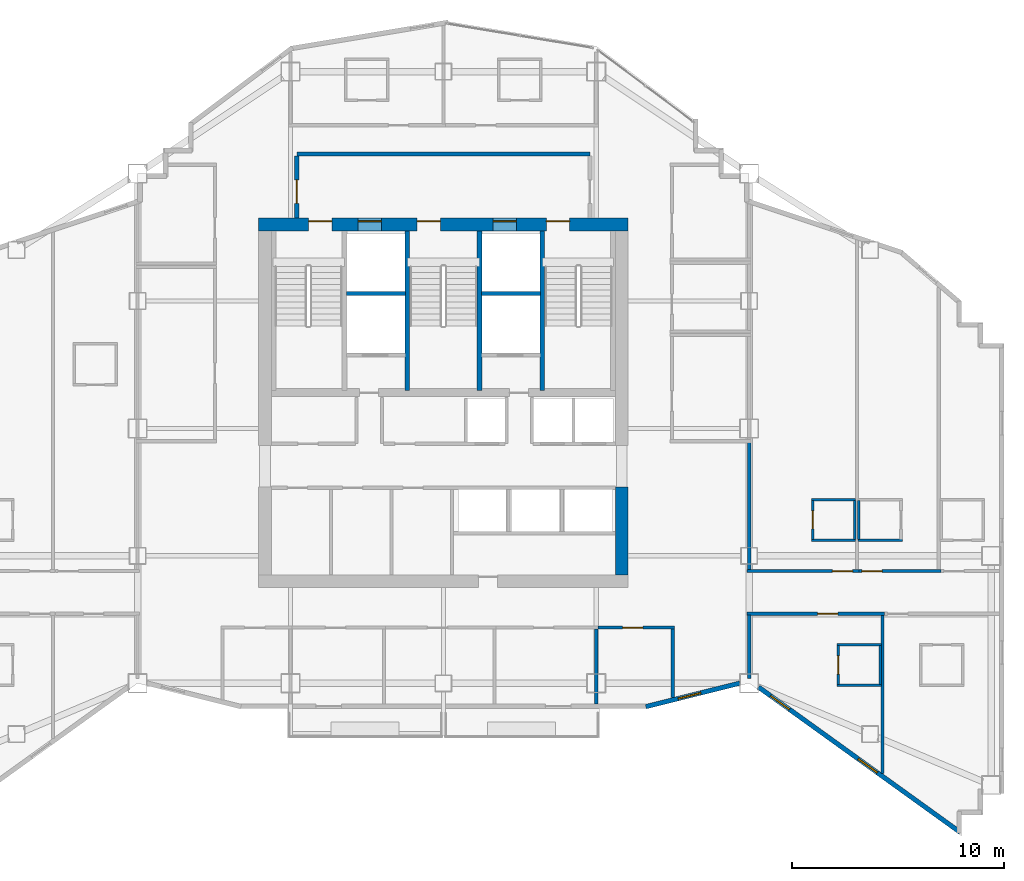
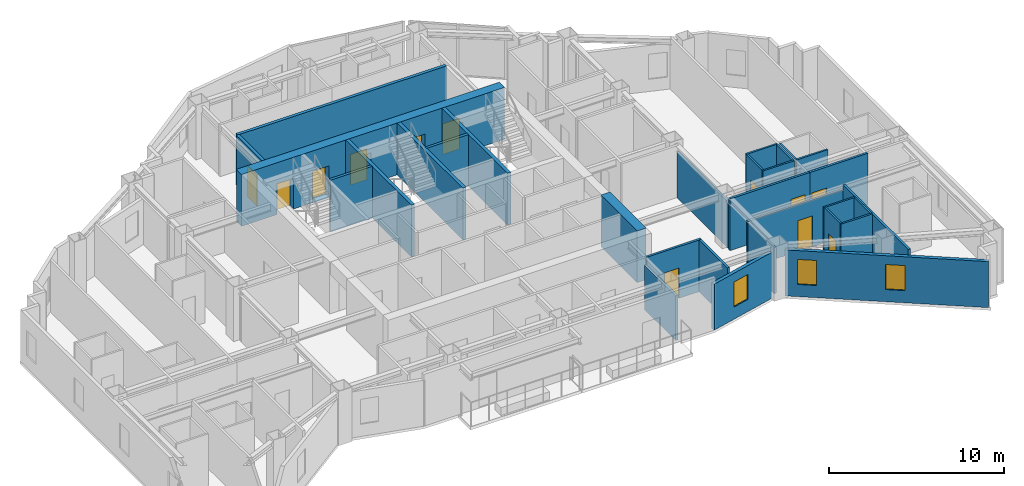
# One storey, part 7 of 11: 30 walls, 12 doors, 3 windows, 15 openings.
"""IFC4 building model written with IfcOpenShell, lengths in metres."""

from ifc_helpers import new_model, si_unit, direction, frame, frame_2d, origin, place, context, subcontext, project, spatial, rectangle, extrude, material, layer, layer_set, type_object, element, fill, save


model = new_model("IFC4")

# Units and contexts
model_context = context("Model", 3, precision=1e-05, world=origin(), true_north=direction((0.0, 1.0)))
body_context = subcontext(model_context, "Body", "Model", "MODEL_VIEW")
ifc_project = project(units=[si_unit("LENGTHUNIT", "METRE"), si_unit("AREAUNIT", "SQUARE_METRE"), si_unit("VOLUMEUNIT", "CUBIC_METRE"), si_unit("PLANEANGLEUNIT", "RADIAN"), si_unit("MASSUNIT", "GRAM", prefix="KILO")], contexts=[model_context])

# Site, building, storey
site_placement = place(None, origin())
site = spatial("IfcSite", under=ifc_project, at=site_placement, CompositionType="ELEMENT")
building_placement = place(site_placement, origin())
building = spatial("IfcBuilding", under=site, at=building_placement, Name="Haolan Belvedere Tower", CompositionType="ELEMENT")
storey_placement = place(building_placement, frame((0.0, 0.0, 215.39990234375)))
storey = spatial("IfcBuildingStorey", under=building, at=storey_placement, Name="L54", CompositionType="ELEMENT", Elevation=215.39990234375)

# Wall, openings, doors
ifc_material_1 = material(Name="Concrete C60/75", Category="concrete")
ifc_layer_1 = layer(ifc_material_1, 0.60009765625, Name="Concrete C60/75")
ifc_layer_set_1 = layer_set([ifc_layer_1], Name="Concrete C60/75")
wall_type_1 = type_object("IfcWallType", Name="WL-CORE-600", PredefinedType="SHEAR", material=ifc_layer_set_1)
wall_1_placement = place(storey_placement, frame((29.699951171875, 43.199951171875, 0.0), z_axis=(0.0, 0.0, 1.0), x_axis=(1.0, 0.0, 0.0)))
wall_1 = element("IfcWall", 1, at=wall_1_placement, inside=storey, type_object=wall_type_1, Name="L54 central core north shear wall", PredefinedType="SHEAR", context=body_context, shape_type="SweptSolid", body=[
    extrude(rectangle(XDim=17.400146484375, YDim=0.60009765625, at=frame_2d((8.7001953125, 0.0))), origin(), (0.0, 0.0, 1.0), 3.6201171875),
])
opening_1_placement = place(wall_1_placement, frame((2.35009765625, 0.0, 0.0)))
opening_1 = element("IfcOpeningElement", 2, at=opening_1_placement, cuts=wall_1, Name="Opening FD-03", PredefinedType="OPENING", context=body_context, shape_type="SweptSolid", body=[
    extrude(rectangle(XDim=1.10009765625, YDim=2.14990234375, at=frame_2d((0.550048828125, 1.074951171875))), frame((0.0, 0.31005859375, 0.0), z_axis=(0.0, -1.0, 0.0), x_axis=(1.0, 0.0, 0.0)), (0.0, 0.0, 1.0), 0.6201171875),
])
opening_2_placement = place(wall_1_placement, frame((7.4599609375, 0.0, 0.0)))
opening_2 = element("IfcOpeningElement", 3, at=opening_2_placement, cuts=wall_1, Name="Opening FD-03", PredefinedType="OPENING", context=body_context, shape_type="SweptSolid", body=[
    extrude(rectangle(XDim=1.10009765625, YDim=2.14990234375, at=frame_2d((0.550048828125, 1.074951171875))), frame((0.0, 0.31005859375, 0.0), z_axis=(0.0, -1.0, 0.0), x_axis=(1.0, 0.0, 0.0)), (0.0, 0.0, 1.0), 0.6201171875),
])
opening_3_placement = place(wall_1_placement, frame((13.550048828125, 0.0, 0.0)))
opening_3 = element("IfcOpeningElement", 4, at=opening_3_placement, cuts=wall_1, Name="Opening FD-03", PredefinedType="OPENING", context=body_context, shape_type="SweptSolid", body=[
    extrude(rectangle(XDim=1.10009765625, YDim=2.14990234375, at=frame_2d((0.550048828125, 1.074951171875))), frame((0.0, 0.31005859375, 0.0), z_axis=(0.0, -1.0, 0.0), x_axis=(1.0, 0.0, 0.0)), (0.0, 0.0, 1.0), 0.6201171875),
])
opening_4_placement = place(wall_1_placement, frame((4.679931640625, 0.0, 0.0)))
opening_4 = element("IfcOpeningElement", 5, at=opening_4_placement, cuts=wall_1, Name="Opening LD-01", PredefinedType="OPENING", context=body_context, shape_type="SweptSolid", body=[
    extrude(rectangle(XDim=1.10009765625, YDim=2.199951171875, at=frame_2d((0.550048828125, 1.10009765625))), frame((0.0, 0.31005859375, 0.0), z_axis=(0.0, -1.0, 0.0), x_axis=(1.0, 0.0, 0.0)), (0.0, 0.0, 1.0), 0.6201171875),
])
opening_5_placement = place(wall_1_placement, frame((11.0400390625, 0.0, 0.0)))
opening_5 = element("IfcOpeningElement", 6, at=opening_5_placement, cuts=wall_1, Name="Opening LD-01", PredefinedType="OPENING", context=body_context, shape_type="SweptSolid", body=[
    extrude(rectangle(XDim=1.10009765625, YDim=2.199951171875, at=frame_2d((0.550048828125, 1.10009765625))), frame((0.0, 0.31005859375, 0.0), z_axis=(0.0, -1.0, 0.0), x_axis=(1.0, 0.0, 0.0)), (0.0, 0.0, 1.0), 0.6201171875),
])
ifc_material_2 = material(Name="Galvanised fire-rated steel", Category="steel")
door_type_1 = type_object("IfcDoorType", Name="DR-FD90-1100", OperationType="NOTDEFINED", PredefinedType="DOOR", material=ifc_material_2)
door_1_placement = place(opening_1_placement, origin())
door_1 = element("IfcDoor", 7, at=door_1_placement, inside=storey, type_object=door_type_1, Name="L54 door CD-L54-ST1", OperationType="SINGLE_SWING_LEFT", OverallHeight=2.14990234375, OverallWidth=1.10009765625, PredefinedType="DOOR", context=body_context, shape_type="SweptSolid", body=[
    extrude(rectangle(XDim=1.10009765625, YDim=2.14990234375, at=frame_2d((0.550048828125, 1.074951171875))), frame((0.0, 0.18505859375, 0.0), z_axis=(0.0, -1.0, 0.0), x_axis=(1.0, 0.0, 0.0)), (0.0, 0.0, 1.0), 0.050048828125),
])
fill(opening_1, door_1)
door_2_placement = place(opening_2_placement, origin())
door_2 = element("IfcDoor", 8, at=door_2_placement, inside=storey, type_object=door_type_1, Name="L54 door CD-L54-ST3", OperationType="SINGLE_SWING_LEFT", OverallHeight=2.14990234375, OverallWidth=1.10009765625, PredefinedType="DOOR", context=body_context, shape_type="SweptSolid", body=[
    extrude(rectangle(XDim=1.10009765625, YDim=2.14990234375, at=frame_2d((0.550048828125, 1.074951171875))), frame((0.0, 0.18505859375, 0.0), z_axis=(0.0, -1.0, 0.0), x_axis=(1.0, 0.0, 0.0)), (0.0, 0.0, 1.0), 0.050048828125),
])
fill(opening_2, door_2)
door_3_placement = place(opening_3_placement, origin())
door_3 = element("IfcDoor", 9, at=door_3_placement, inside=storey, type_object=door_type_1, Name="L54 door CD-L54-ST2", OperationType="SINGLE_SWING_RIGHT", OverallHeight=2.14990234375, OverallWidth=1.10009765625, PredefinedType="DOOR", context=body_context, shape_type="SweptSolid", body=[
    extrude(rectangle(XDim=1.10009765625, YDim=2.14990234375, at=frame_2d((0.550048828125, 1.074951171875))), frame((0.0, 0.18505859375, 0.0), z_axis=(0.0, -1.0, 0.0), x_axis=(1.0, 0.0, 0.0)), (0.0, 0.0, 1.0), 0.050048828125),
])
fill(opening_3, door_3)
ifc_material_3 = material(Name="Brushed champagne stainless steel 316L", Category="steel")
door_type_2 = type_object("IfcDoorType", Name="DR-LIFT-1100", OperationType="SLIDING_TO_LEFT", PredefinedType="DOOR", material=ifc_material_3)
door_4_placement = place(opening_4_placement, origin())
door_4 = element("IfcDoor", 10, at=door_4_placement, inside=storey, type_object=door_type_2, Name="L54 door LD-L54-FF1", OperationType="SLIDING_TO_LEFT", OverallHeight=2.199951171875, OverallWidth=1.10009765625, PredefinedType="DOOR", context=body_context, shape_type="SweptSolid", body=[
    extrude(rectangle(XDim=1.10009765625, YDim=2.199951171875, at=frame_2d((0.550048828125, 1.10009765625))), frame((0.0, 0.18505859375, 0.0), z_axis=(0.0, -1.0, 0.0), x_axis=(1.0, 0.0, 0.0)), (0.0, 0.0, 1.0), 0.050048828125),
])
fill(opening_4, door_4)
door_5_placement = place(opening_5_placement, origin())
door_5 = element("IfcDoor", 11, at=door_5_placement, inside=storey, type_object=door_type_2, Name="L54 door LD-L54-FF2", OperationType="SLIDING_TO_LEFT", OverallHeight=2.199951171875, OverallWidth=1.10009765625, PredefinedType="DOOR", context=body_context, shape_type="SweptSolid", body=[
    extrude(rectangle(XDim=1.10009765625, YDim=2.199951171875, at=frame_2d((0.550048828125, 1.10009765625))), frame((0.0, 0.18505859375, 0.0), z_axis=(0.0, -1.0, 0.0), x_axis=(1.0, 0.0, 0.0)), (0.0, 0.0, 1.0), 0.050048828125),
])
fill(opening_5, door_5)

# Wall
wall_2_placement = place(storey_placement, frame((46.800048828125, 26.699951171875, 0.0), z_axis=(0.0, 0.0, 1.0), x_axis=(0.0, 1.0, 0.0)))
element("IfcWall", 12, at=wall_2_placement, inside=storey, type_object=wall_type_1, Name="L54 central core shear wall ES", PredefinedType="SHEAR", context=body_context, shape_type="SweptSolid", body=[
    extrude(rectangle(XDim=4.150146484375, YDim=0.60009765625, at=frame_2d((2.0751953125, 0.0))), origin(), (0.0, 0.0, 1.0), 3.6201171875),
])

# Wall, opening, window
ifc_material_4 = material(Name="Precast concrete C40/50", Category="concrete")
ifc_layer_2 = layer(ifc_material_4, 0.219970703125, Name="Precast concrete C40/50")
ifc_layer_set_2 = layer_set([ifc_layer_2], Name="Precast concrete C40/50")
wall_type_2 = type_object("IfcWallType", Name="WL-EXT-220", PredefinedType="SOLIDWALL", material=ifc_layer_set_2)
wall_3_placement = place(storey_placement, frame((47.93310546875, 20.49658203125, 0.0), z_axis=(0.0, 0.0, 1.0), x_axis=(0.970142500145, 0.242535625036, 0.0)))
wall_3 = element("IfcWall", 13, at=wall_3_placement, inside=storey, type_object=wall_type_2, Name="L54 pale-metal exterior spandrel wall 2.1", PredefinedType="SOLIDWALL", context=body_context, shape_type="SweptSolid", body=[
    extrude(rectangle(XDim=4.56103515625, YDim=0.219970703125, at=frame_2d((2.280517578125, 0.0))), origin(), (0.0, 0.0, 1.0), 3.215087890625),
])
opening_6_placement = place(wall_3_placement, frame((1.56640625, 0.0, 0.85009765625)))
opening_6 = element("IfcOpeningElement", 14, at=opening_6_placement, cuts=wall_3, Name="Opening W-03", PredefinedType="OPENING", context=body_context, shape_type="SweptSolid", body=[
    extrude(rectangle(XDim=1.10009765625, YDim=1.75, at=frame_2d((0.550048828125, 0.875))), frame((0.0, 0.119873046875, 0.0), z_axis=(0.0, -1.0, 0.0), x_axis=(1.0, 0.0, 0.0)), (0.0, 0.0, 1.0), 0.239990234375),
])
ifc_material_5 = material(Name="Anodised aluminium 6063-T6 and Low-E glass", Category="aluminium")
window_type = type_object("IfcWindowType", Name="WN-DECO-Z3", PartitioningType="SINGLE_PANEL", PredefinedType="WINDOW", material=ifc_material_5)
window_1_placement = place(opening_6_placement, origin())
window_1 = element("IfcWindow", 15, at=window_1_placement, inside=storey, type_object=window_type, Name="L54 Art Deco chevron window 1", OverallHeight=1.75, OverallWidth=1.10009765625, PartitioningType="SINGLE_PANEL", PredefinedType="WINDOW", context=body_context, shape_type="SweptSolid", body=[
    extrude(rectangle(XDim=1.10009765625, YDim=1.75, at=frame_2d((0.550048828125, 0.875))), frame((0.0, 0.030029296875, 0.0), z_axis=(0.0, -1.0, 0.0), x_axis=(1.0, 0.0, 0.0)), (0.0, 0.0, 1.0), 0.06005859375),
])
fill(opening_6, window_1)

# Wall, openings, windows
wall_4_placement = place(storey_placement, frame((53.241943359375, 21.417236328125, 0.0), z_axis=(0.0, 0.0, 1.0), x_axis=(0.811534737332, -0.58430417601, 0.0)))
wall_4 = element("IfcWall", 16, at=wall_4_placement, inside=storey, type_object=wall_type_2, Name="L54 pale-metal exterior spandrel wall 3.1", PredefinedType="SOLIDWALL", context=body_context, shape_type="SweptSolid", body=[
    extrude(rectangle(XDim=11.697265625, YDim=0.219970703125, at=frame_2d((5.8486328125, 0.0))), origin(), (0.0, 0.0, 1.0), 3.215087890625),
])
opening_7_placement = place(wall_4_placement, frame((0.699951171875, 0.0, 0.85009765625)))
opening_7 = element("IfcOpeningElement", 17, at=opening_7_placement, cuts=wall_4, Name="Opening W-03", PredefinedType="OPENING", context=body_context, shape_type="SweptSolid", body=[
    extrude(rectangle(XDim=1.10009765625, YDim=1.75, at=frame_2d((0.550048828125, 0.875))), frame((0.0, 0.119873046875, 0.0), z_axis=(0.0, -1.0, 0.0), x_axis=(1.0, 0.0, 0.0)), (0.0, 0.0, 1.0), 0.239990234375),
])
opening_8_placement = place(wall_4_placement, frame((5.785400390625, 0.0, 0.85009765625)))
opening_8 = element("IfcOpeningElement", 18, at=opening_8_placement, cuts=wall_4, Name="Opening W-03", PredefinedType="OPENING", context=body_context, shape_type="SweptSolid", body=[
    extrude(rectangle(XDim=1.10009765625, YDim=1.75, at=frame_2d((0.550048828125, 0.875))), frame((0.0, 0.119873046875, 0.0), z_axis=(0.0, -1.0, 0.0), x_axis=(1.0, 0.0, 0.0)), (0.0, 0.0, 1.0), 0.239990234375),
])
window_2_placement = place(opening_7_placement, origin())
window_2 = element("IfcWindow", 19, at=window_2_placement, inside=storey, type_object=window_type, Name="L54 Art Deco chevron window 1", OverallHeight=1.75, OverallWidth=1.10009765625, PartitioningType="SINGLE_PANEL", PredefinedType="WINDOW", context=body_context, shape_type="SweptSolid", body=[
    extrude(rectangle(XDim=1.10009765625, YDim=1.75, at=frame_2d((0.550048828125, 0.875))), frame((0.0, 0.030029296875, 0.0), z_axis=(0.0, -1.0, 0.0), x_axis=(1.0, 0.0, 0.0)), (0.0, 0.0, 1.0), 0.06005859375),
])
fill(opening_7, window_2)
window_3_placement = place(opening_8_placement, origin())
window_3 = element("IfcWindow", 20, at=window_3_placement, inside=storey, type_object=window_type, Name="L54 Art Deco chevron window 2", OverallHeight=1.75, OverallWidth=1.10009765625, PartitioningType="SINGLE_PANEL", PredefinedType="WINDOW", context=body_context, shape_type="SweptSolid", body=[
    extrude(rectangle(XDim=1.10009765625, YDim=1.75, at=frame_2d((0.550048828125, 0.875))), frame((0.0, 0.030029296875, 0.0), z_axis=(0.0, -1.0, 0.0), x_axis=(1.0, 0.0, 0.0)), (0.0, 0.0, 1.0), 0.06005859375),
])
fill(opening_8, window_3)

# Wall
ifc_material_6 = material(Name="Concrete C40/50", Category="concrete")
ifc_layer_3 = layer(ifc_material_6, 0.199951171875, Name="Concrete C40/50")
ifc_layer_set_3 = layer_set([ifc_layer_3], Name="Concrete C40/50")
wall_type_3 = type_object("IfcWallType", Name="WL-FIRE-200", PredefinedType="SOLIDWALL", material=ifc_layer_set_3)
wall_5_placement = place(storey_placement, frame((31.5, 46.52001953125, 0.0), z_axis=(0.0, 0.0, 1.0), x_axis=(1.0, 0.0, 0.0)))
element("IfcWall", 21, at=wall_5_placement, inside=storey, type_object=wall_type_3, Name="L54 interior partition IW-L54-FFL-N", PredefinedType="SOLIDWALL", context=body_context, shape_type="SweptSolid", body=[
    extrude(rectangle(XDim=13.800048828125, YDim=0.199951171875, at=frame_2d((6.89990234375, 0.0))), origin(), (0.0, 0.0, 1.0), 3.6201171875),
])

# Wall, opening, door
wall_6_placement = place(storey_placement, frame((31.5, 43.5, 0.0), z_axis=(0.0, 0.0, 1.0), x_axis=(0.0, 1.0, 0.0)))
wall_6 = element("IfcWall", 22, at=wall_6_placement, inside=storey, type_object=wall_type_3, Name="L54 interior partition IW-L54-FFL-W", PredefinedType="SOLIDWALL", context=body_context, shape_type="SweptSolid", body=[
    extrude(rectangle(XDim=2.93505859375, YDim=0.199951171875, at=frame_2d((1.467529296875, 0.0))), origin(), (0.0, 0.0, 1.0), 3.6201171875),
])
opening_9_placement = place(wall_6_placement, frame((1.800048828125, 0.0, 0.0), z_axis=(0.0, 0.0, 1.0), x_axis=(-1.0, 0.0, 0.0)))
opening_9 = element("IfcOpeningElement", 23, at=opening_9_placement, cuts=wall_6, Name="Opening FD-03", PredefinedType="OPENING", context=body_context, shape_type="SweptSolid", body=[
    extrude(rectangle(XDim=1.10009765625, YDim=2.14990234375, at=frame_2d((0.550048828125, 1.074951171875))), frame((0.0, 0.10986328125, 0.0), z_axis=(0.0, -1.0, 0.0), x_axis=(1.0, 0.0, 0.0)), (0.0, 0.0, 1.0), 0.219970703125),
])
door_6_placement = place(opening_9_placement, origin())
door_6 = element("IfcDoor", 24, at=door_6_placement, inside=storey, type_object=door_type_1, Name="L54 door ID-L54-FFL-DW", OperationType="SINGLE_SWING_LEFT", OverallHeight=2.14990234375, OverallWidth=1.10009765625, PredefinedType="DOOR", context=body_context, shape_type="SweptSolid", body=[
    extrude(rectangle(XDim=1.10009765625, YDim=2.14990234375, at=frame_2d((0.550048828125, 1.074951171875))), frame((0.0, 0.02490234375, 0.0), z_axis=(0.0, -1.0, 0.0), x_axis=(1.0, 0.0, 0.0)), (0.0, 0.0, 1.0), 0.050048828125),
])
fill(opening_9, door_6)

# Wall
ifc_material_7 = material(Name="Double gypsum acoustic stud partition", Category="masonry")
ifc_layer_4 = layer(ifc_material_7, 0.14990234375, Name="Double gypsum acoustic stud partition")
ifc_layer_set_4 = layer_set([ifc_layer_4], Name="Double gypsum acoustic stud partition")
wall_type_4 = type_object("IfcWallType", Name="WL-PART-150", PredefinedType="PARTITIONING", material=ifc_layer_set_4)
wall_7_placement = place(storey_placement, frame((45.60009765625, 20.612060546875, 0.0), z_axis=(0.0, 0.0, 1.0), x_axis=(0.0, 1.0, 0.0)))
element("IfcWall", 25, at=wall_7_placement, inside=storey, type_object=wall_type_4, Name="L54 interior partition IW-L54-KS5-E", PredefinedType="PARTITIONING", context=body_context, shape_type="SweptSolid", body=[
    extrude(rectangle(XDim=3.5478515625, YDim=0.14990234375, at=frame_2d((1.77392578125, 0.0))), origin(), (0.0, 0.0, 1.0), 3.10498046875),
])

# Wall, opening, door
wall_8_placement = place(storey_placement, frame((45.681884765625, 24.219970703125, 0.0), z_axis=(0.0, 0.0, 1.0), x_axis=(1.0, 0.0, 0.0)))
wall_8 = element("IfcWall", 26, at=wall_8_placement, inside=storey, type_object=wall_type_4, Name="L54 interior partition IW-L54-KS6-N", PredefinedType="PARTITIONING", context=body_context, shape_type="SweptSolid", body=[
    extrude(rectangle(XDim=3.59814453125, YDim=0.14990234375, at=frame_2d((1.799072265625, 0.0))), origin(), (0.0, 0.0, 1.0), 3.6201171875),
])
opening_10_placement = place(wall_8_placement, frame((2.113037109375, 0.0, 0.0), z_axis=(0.0, 0.0, 1.0), x_axis=(-1.0, 0.0, 0.0)))
opening_10 = element("IfcOpeningElement", 27, at=opening_10_placement, cuts=wall_8, Name="Opening ID-03", PredefinedType="OPENING", context=body_context, shape_type="SweptSolid", body=[
    extrude(rectangle(XDim=0.949951171875, YDim=2.1201171875, at=frame_2d((0.47509765625, 1.06005859375))), frame((0.0, 0.0849609375, 0.0), z_axis=(0.0, -1.0, 0.0), x_axis=(1.0, 0.0, 0.0)), (0.0, 0.0, 1.0), 0.169921875),
])
ifc_material_8 = material(Name="Painted solid-core timber", Category="wood")
door_type_3 = type_object("IfcDoorType", Name="DR-INT-950", OperationType="NOTDEFINED", PredefinedType="DOOR", material=ifc_material_8)
door_7_placement = place(opening_10_placement, origin())
door_7 = element("IfcDoor", 28, at=door_7_placement, inside=storey, type_object=door_type_3, Name="L54 door ID-L54-KS6", OperationType="SINGLE_SWING_LEFT", OverallHeight=2.1201171875, OverallWidth=0.949951171875, PredefinedType="DOOR", context=body_context, shape_type="SweptSolid", body=[
    extrude(rectangle(XDim=0.949951171875, YDim=2.1201171875, at=frame_2d((0.47509765625, 1.06005859375))), frame((0.0, 0.02490234375, 0.0), z_axis=(0.0, -1.0, 0.0), x_axis=(1.0, 0.0, 0.0)), (0.0, 0.0, 1.0), 0.050048828125),
])
fill(opening_10, door_7)

# Wall
wall_9_placement = place(storey_placement, frame((49.199951171875, 20.91845703125, 0.0), z_axis=(0.0, 0.0, 1.0), x_axis=(0.0, 1.0, 0.0)))
element("IfcWall", 29, at=wall_9_placement, inside=storey, type_object=wall_type_4, Name="L54 interior partition IW-L54-KS6-E", PredefinedType="PARTITIONING", context=body_context, shape_type="SweptSolid", body=[
    extrude(rectangle(XDim=3.241455078125, YDim=0.14990234375, at=frame_2d((1.62060546875, 0.0))), origin(), (0.0, 0.0, 1.0), 3.6201171875),
])

# Wall, opening, door
wall_10_placement = place(storey_placement, frame((52.699951171875, 26.8798828125, 0.0), z_axis=(0.0, 0.0, 1.0), x_axis=(1.0, 0.0, 0.0)))
wall_10 = element("IfcWall", 30, at=wall_10_placement, inside=storey, type_object=wall_type_4, Name="L54 interior partition IW-L54-T4N1-S", PredefinedType="PARTITIONING", context=body_context, shape_type="SweptSolid", body=[
    extrude(rectangle(XDim=5.27001953125, YDim=0.14990234375, at=frame_2d((2.635009765625, 0.0))), origin(), (0.0, 0.0, 1.0), 3.6201171875),
])
opening_11_placement = place(wall_10_placement, frame((4.01708984375, 0.0, 0.0)))
opening_11 = element("IfcOpeningElement", 31, at=opening_11_placement, cuts=wall_10, Name="Opening ID-01", PredefinedType="OPENING", context=body_context, shape_type="SweptSolid", body=[
    extrude(rectangle(XDim=0.949951171875, YDim=2.179931640625, at=frame_2d((0.47509765625, 1.08984375))), frame((0.0, 0.0849609375, 0.0), z_axis=(0.0, -1.0, 0.0), x_axis=(1.0, 0.0, 0.0)), (0.0, 0.0, 1.0), 0.169921875),
])
ifc_material_9 = material(Name="Acoustic walnut veneer fire-rated timber", Category="wood")
door_type_4 = type_object("IfcDoorType", Name="DR-SUITE-950", OperationType="NOTDEFINED", PredefinedType="DOOR", material=ifc_material_9)
door_8_placement = place(opening_11_placement, origin())
door_8 = element("IfcDoor", 32, at=door_8_placement, inside=storey, type_object=door_type_4, Name="L54 door ID-L54-T4N1-ENT", OperationType="SINGLE_SWING_LEFT", OverallHeight=2.179931640625, OverallWidth=0.949951171875, PredefinedType="DOOR", context=body_context, shape_type="SweptSolid", body=[
    extrude(rectangle(XDim=0.949951171875, YDim=2.179931640625, at=frame_2d((0.47509765625, 1.08984375))), frame((0.0, 0.02490234375, 0.0), z_axis=(0.0, -1.0, 0.0), x_axis=(1.0, 0.0, 0.0)), (0.0, 0.0, 1.0), 0.050048828125),
])
fill(opening_11, door_8)

# Wall
wall_11_placement = place(storey_placement, frame((52.800048828125, 26.93994140625, 0.0), z_axis=(0.0, 0.0, 1.0), x_axis=(0.0, 1.0, 0.0)))
element("IfcWall", 33, at=wall_11_placement, inside=storey, type_object=wall_type_4, Name="L54 interior partition IW-L54-T4N1-W", PredefinedType="PARTITIONING", context=body_context, shape_type="SweptSolid", body=[
    extrude(rectangle(XDim=6.0, YDim=0.14990234375, at=frame_2d((3.0, 0.0))), origin(), (0.0, 0.0, 1.0), 3.215087890625),
])

# Wall, opening, door
wall_12_placement = place(storey_placement, frame((57.971923828125, 26.8798828125, 0.0), z_axis=(0.0, 0.0, 1.0), x_axis=(1.0, 0.0, 0.0)))
wall_12 = element("IfcWall", 34, at=wall_12_placement, inside=storey, type_object=wall_type_4, Name="L54 interior partition IW-L54-T4N2-S", PredefinedType="PARTITIONING", context=body_context, shape_type="SweptSolid", body=[
    extrude(rectangle(XDim=3.858154296875, YDim=0.14990234375, at=frame_2d((1.92919921875, 0.0))), origin(), (0.0, 0.0, 1.0), 3.6201171875),
])
opening_12_placement = place(wall_12_placement, frame((0.139892578125, 0.0, 0.0)))
opening_12 = element("IfcOpeningElement", 35, at=opening_12_placement, cuts=wall_12, Name="Opening ID-02", PredefinedType="OPENING", context=body_context, shape_type="SweptSolid", body=[
    extrude(rectangle(XDim=0.949951171875, YDim=2.14990234375, at=frame_2d((0.47509765625, 1.074951171875))), frame((0.0, 0.0849609375, 0.0), z_axis=(0.0, -1.0, 0.0), x_axis=(1.0, 0.0, 0.0)), (0.0, 0.0, 1.0), 0.169921875),
])
ifc_material_10 = material(Name="Acoustic oak veneer fire-rated timber", Category="wood")
door_type_5 = type_object("IfcDoorType", Name="DR-GUEST-950", OperationType="NOTDEFINED", PredefinedType="DOOR", material=ifc_material_10)
door_9_placement = place(opening_12_placement, origin())
door_9 = element("IfcDoor", 36, at=door_9_placement, inside=storey, type_object=door_type_5, Name="L54 door ID-L54-T4N2-ENT", OperationType="SINGLE_SWING_RIGHT", OverallHeight=2.14990234375, OverallWidth=0.949951171875, PredefinedType="DOOR", context=body_context, shape_type="SweptSolid", body=[
    extrude(rectangle(XDim=0.949951171875, YDim=2.14990234375, at=frame_2d((0.47509765625, 1.074951171875))), frame((0.0, 0.02490234375, 0.0), z_axis=(0.0, -1.0, 0.0), x_axis=(1.0, 0.0, 0.0)), (0.0, 0.0, 1.0), 0.050048828125),
])
fill(opening_12, door_9)

wall_13_placement = place(storey_placement, frame((52.699951171875, 24.8701171875, 0.0), z_axis=(0.0, 0.0, 1.0), x_axis=(1.0, 0.0, 0.0)))
wall_13 = element("IfcWall", 37, at=wall_13_placement, inside=storey, type_object=wall_type_4, Name="L54 interior partition IW-L54-T4S1-N", PredefinedType="PARTITIONING", context=body_context, shape_type="SweptSolid", body=[
    extrude(rectangle(XDim=6.47998046875, YDim=0.14990234375, at=frame_2d((3.239990234375, 0.0))), origin(), (0.0, 0.0, 1.0), 3.255126953125),
])
opening_13_placement = place(wall_13_placement, frame((4.27685546875, 0.0, 0.0), z_axis=(0.0, 0.0, 1.0), x_axis=(-1.0, 0.0, 0.0)))
opening_13 = element("IfcOpeningElement", 38, at=opening_13_placement, cuts=wall_13, Name="Opening ID-02", PredefinedType="OPENING", context=body_context, shape_type="SweptSolid", body=[
    extrude(rectangle(XDim=0.949951171875, YDim=2.14990234375, at=frame_2d((0.47509765625, 1.074951171875))), frame((0.0, 0.0849609375, 0.0), z_axis=(0.0, -1.0, 0.0), x_axis=(1.0, 0.0, 0.0)), (0.0, 0.0, 1.0), 0.169921875),
])
door_10_placement = place(opening_13_placement, origin())
door_10 = element("IfcDoor", 39, at=door_10_placement, inside=storey, type_object=door_type_5, Name="L54 door ID-L54-T4S1-ENT", OperationType="SINGLE_SWING_RIGHT", OverallHeight=2.14990234375, OverallWidth=0.949951171875, PredefinedType="DOOR", context=body_context, shape_type="SweptSolid", body=[
    extrude(rectangle(XDim=0.949951171875, YDim=2.14990234375, at=frame_2d((0.47509765625, 1.074951171875))), frame((0.0, 0.02490234375, 0.0), z_axis=(0.0, -1.0, 0.0), x_axis=(1.0, 0.0, 0.0)), (0.0, 0.0, 1.0), 0.050048828125),
])
fill(opening_13, door_10)

# Walls
wall_14_placement = place(storey_placement, frame((52.800048828125, 21.818603515625, 0.0), z_axis=(0.0, 0.0, 1.0), x_axis=(0.0, 1.0, 0.0)))
element("IfcWall", 40, at=wall_14_placement, inside=storey, type_object=wall_type_4, Name="L54 interior partition IW-L54-T4S1-W", PredefinedType="PARTITIONING", context=body_context, shape_type="SweptSolid", body=[
    extrude(rectangle(XDim=2.991455078125, YDim=0.14990234375, at=frame_2d((1.49560546875, 0.0))), origin(), (0.0, 0.0, 1.0), 3.215087890625),
])
wall_15_placement = place(storey_placement, frame((59.080078125, 17.339599609375, 0.0), z_axis=(0.0, 0.0, 1.0), x_axis=(0.0, 1.0, 0.0)))
element("IfcWall", 41, at=wall_15_placement, inside=storey, type_object=wall_type_4, Name="L54 interior partition IW-L54-T4S1-E", PredefinedType="PARTITIONING", context=body_context, shape_type="SweptSolid", body=[
    extrude(rectangle(XDim=7.470458984375, YDim=0.14990234375, at=frame_2d((3.7353515625, 0.0))), origin(), (0.0, 0.0, 1.0), 3.6201171875),
])
ifc_layer_5 = layer(ifc_material_4, 0.179931640625, Name="Precast concrete C40/50")
ifc_layer_set_5 = layer_set([ifc_layer_5], Name="Precast concrete C40/50")
wall_type_5 = type_object("IfcWallType", Name="WL-SHAFT-180", PredefinedType="SOLIDWALL", material=ifc_layer_set_5)
for number, where, z_axis, x_axis, name in (
    (42, (33.8349609375, 39.949951171875, 0.0), (0.0, 0.0, 1.0), (1.0, 0.0, 0.0), "L54 interior partition IW-L54-FF1-S"),
    (43, (40.195068359375, 39.949951171875, 0.0), (0.0, 0.0, 1.0), (1.0, 0.0, 0.0), "L54 interior partition IW-L54-FF2-S"),
):
    element("IfcWall", number, at=place(storey_placement, frame(where, z_axis=z_axis, x_axis=x_axis)), inside=storey, type_object=wall_type_5, Name=name, PredefinedType="SOLIDWALL", context=body_context, shape_type="SweptSolid", body=[
        extrude(rectangle(XDim=2.77001953125, YDim=0.179931640625, at=frame_2d((1.385009765625, 0.0))), origin(), (0.0, 0.0, 1.0), 3.6201171875),
    ])
ifc_material_11 = material(Name="Concrete C50/60", Category="concrete")
ifc_layer_6 = layer(ifc_material_11, 0.219970703125, Name="Concrete C50/60")
ifc_layer_set_6 = layer_set([ifc_layer_6], Name="Concrete C50/60")
wall_type_6 = type_object("IfcWallType", Name="WL-STAIR-220", PredefinedType="SHEAR", material=ifc_layer_set_6)
for number, where, z_axis, x_axis, name in (
    (44, (36.699951171875, 35.389892578125, 0.0), (0.0, 0.0, 1.0), (0.0, 1.0, 0.0), "L54 structural stair core wall ST3W"),
    (45, (40.10009765625, 35.389892578125, 0.0), (0.0, 0.0, 1.0), (0.0, 1.0, 0.0), "L54 structural stair core wall ST3E"),
    (46, (43.06005859375, 35.389892578125, 0.0), (0.0, 0.0, 1.0), (0.0, 1.0, 0.0), "L54 structural stair core wall ST2W"),
):
    element("IfcWall", number, at=place(storey_placement, frame(where, z_axis=z_axis, x_axis=x_axis)), inside=storey, type_object=wall_type_6, Name=name, PredefinedType="SHEAR", context=body_context, shape_type="SweptSolid", body=[
        extrude(rectangle(XDim=7.510009765625, YDim=0.219970703125, at=frame_2d((3.7548828125, 0.0))), origin(), (0.0, 0.0, 1.0), 3.6201171875),
    ])
ifc_material_12 = material(Name="Moisture-resistant gypsum tile partition", Category="masonry")
ifc_layer_7 = layer(ifc_material_12, 0.1201171875, Name="Moisture-resistant gypsum tile partition")
ifc_layer_set_7 = layer_set([ifc_layer_7], Name="Moisture-resistant gypsum tile partition")
wall_type_7 = type_object("IfcWallType", Name="WL-WET-120", PredefinedType="PARTITIONING", material=ifc_layer_set_7)
for number, where, z_axis, x_axis, name in (
    (47, (55.72998046875, 30.25, 0.0), (0.0, 0.0, 1.0), (1.0, 0.0, 0.0), "L54 interior partition IW-L54-T4N1-BN"),
    (48, (55.72998046875, 28.330078125, 0.0), (0.0, 0.0, 1.0), (1.0, 0.0, 0.0), "L54 interior partition IW-L54-T4N1-BS"),
):
    element("IfcWall", number, at=place(storey_placement, frame(where, z_axis=z_axis, x_axis=x_axis)), inside=storey, type_object=wall_type_7, Name=name, PredefinedType="PARTITIONING", context=body_context, shape_type="SweptSolid", body=[
        extrude(rectangle(XDim=2.080078125, YDim=0.1201171875, at=frame_2d((1.0400390625, 0.0))), origin(), (0.0, 0.0, 1.0), 3.6201171875),
    ])

# Wall, opening, door
wall_16_placement = place(storey_placement, frame((55.7900390625, 28.375, 0.0), z_axis=(0.0, 0.0, 1.0), x_axis=(0.0, 1.0, 0.0)))
wall_16 = element("IfcWall", 49, at=wall_16_placement, inside=storey, type_object=wall_type_7, Name="L54 interior partition IW-L54-T4N1-BW", PredefinedType="PARTITIONING", context=body_context, shape_type="SweptSolid", body=[
    extrude(rectangle(XDim=1.830078125, YDim=0.1201171875, at=frame_2d((0.9150390625, 0.0))), origin(), (0.0, 0.0, 1.0), 3.6201171875),
])
opening_14_placement = place(wall_16_placement, frame((1.340087890625, 0.0, 0.0), z_axis=(0.0, 0.0, 1.0), x_axis=(-1.0, 0.0, 0.0)))
opening_14 = element("IfcOpeningElement", 50, at=opening_14_placement, cuts=wall_16, Name="Opening ID-05", PredefinedType="OPENING", context=body_context, shape_type="SweptSolid", body=[
    extrude(rectangle(XDim=0.85009765625, YDim=2.10009765625, at=frame_2d((0.425048828125, 1.050048828125))), frame((0.0, 0.070068359375, 0.0), z_axis=(0.0, -1.0, 0.0), x_axis=(1.0, 0.0, 0.0)), (0.0, 0.0, 1.0), 0.14013671875),
])
ifc_material_13 = material(Name="Moisture-resistant lacquered timber", Category="wood")
door_type_6 = type_object("IfcDoorType", Name="DR-BATH-850", OperationType="NOTDEFINED", PredefinedType="DOOR", material=ifc_material_13)
door_11_placement = place(opening_14_placement, origin())
door_11 = element("IfcDoor", 51, at=door_11_placement, inside=storey, type_object=door_type_6, Name="L54 door ID-L54-T4N1-BATH", OperationType="SINGLE_SWING_RIGHT", OverallHeight=2.10009765625, OverallWidth=0.85009765625, PredefinedType="DOOR", context=body_context, shape_type="SweptSolid", body=[
    extrude(rectangle(XDim=0.85009765625, YDim=2.10009765625, at=frame_2d((0.425048828125, 1.050048828125))), frame((0.0, 0.02490234375, 0.0), z_axis=(0.0, -1.0, 0.0), x_axis=(1.0, 0.0, 0.0)), (0.0, 0.0, 1.0), 0.050048828125),
])
fill(opening_14, door_11)

# Walls
wall_17_placement = place(storey_placement, frame((57.77001953125, 28.375, 0.0), z_axis=(0.0, 0.0, 1.0), x_axis=(0.0, 1.0, 0.0)))
element("IfcWall", 52, at=wall_17_placement, inside=storey, type_object=wall_type_7, Name="L54 interior partition IW-L54-T4N1-BE", PredefinedType="PARTITIONING", context=body_context, shape_type="SweptSolid", body=[
    extrude(rectangle(XDim=1.830078125, YDim=0.1201171875, at=frame_2d((0.9150390625, 0.0))), origin(), (0.0, 0.0, 1.0), 3.6201171875),
])
wall_18_placement = place(storey_placement, frame((57.929931640625, 28.330078125, 0.0), z_axis=(0.0, 0.0, 1.0), x_axis=(1.0, 0.0, 0.0)))
element("IfcWall", 53, at=wall_18_placement, inside=storey, type_object=wall_type_7, Name="L54 interior partition IW-L54-T4N2-BS", PredefinedType="PARTITIONING", context=body_context, shape_type="SweptSolid", body=[
    extrude(rectangle(XDim=2.080078125, YDim=0.1201171875, at=frame_2d((1.0400390625, 0.0))), origin(), (0.0, 0.0, 1.0), 3.6201171875),
])
wall_19_placement = place(storey_placement, frame((57.969970703125, 28.375, 0.0), z_axis=(0.0, 0.0, 1.0), x_axis=(0.0, 1.0, 0.0)))
element("IfcWall", 54, at=wall_19_placement, inside=storey, type_object=wall_type_7, Name="L54 interior partition IW-L54-T4N2-BW", PredefinedType="PARTITIONING", context=body_context, shape_type="SweptSolid", body=[
    extrude(rectangle(XDim=1.830078125, YDim=0.1201171875, at=frame_2d((0.9150390625, 0.0))), origin(), (0.0, 0.0, 1.0), 3.6201171875),
])
for number, where, z_axis, x_axis, name in (
    (55, (56.93994140625, 23.419921875, 0.0), (0.0, 0.0, 1.0), (1.0, 0.0, 0.0), "L54 interior partition IW-L54-T4S1-BN"),
    (56, (56.93994140625, 21.5, 0.0), (0.0, 0.0, 1.0), (1.0, 0.0, 0.0), "L54 interior partition IW-L54-T4S1-BS"),
):
    element("IfcWall", number, at=place(storey_placement, frame(where, z_axis=z_axis, x_axis=x_axis)), inside=storey, type_object=wall_type_7, Name=name, PredefinedType="PARTITIONING", context=body_context, shape_type="SweptSolid", body=[
        extrude(rectangle(XDim=2.080078125, YDim=0.1201171875, at=frame_2d((1.0400390625, 0.0))), origin(), (0.0, 0.0, 1.0), 3.6201171875),
    ])

# Wall, opening, door
wall_20_placement = place(storey_placement, frame((57.0, 21.544921875, 0.0), z_axis=(0.0, 0.0, 1.0), x_axis=(0.0, 1.0, 0.0)))
wall_20 = element("IfcWall", 57, at=wall_20_placement, inside=storey, type_object=wall_type_7, Name="L54 interior partition IW-L54-T4S1-BW", PredefinedType="PARTITIONING", context=body_context, shape_type="SweptSolid", body=[
    extrude(rectangle(XDim=1.830078125, YDim=0.1201171875, at=frame_2d((0.9150390625, 0.0))), origin(), (0.0, 0.0, 1.0), 3.6201171875),
])
opening_15_placement = place(wall_20_placement, frame((1.340087890625, 0.0, 0.0), z_axis=(0.0, 0.0, 1.0), x_axis=(-1.0, 0.0, 0.0)))
opening_15 = element("IfcOpeningElement", 58, at=opening_15_placement, cuts=wall_20, Name="Opening ID-05", PredefinedType="OPENING", context=body_context, shape_type="SweptSolid", body=[
    extrude(rectangle(XDim=0.85009765625, YDim=2.10009765625, at=frame_2d((0.425048828125, 1.050048828125))), frame((0.0, 0.070068359375, 0.0), z_axis=(0.0, -1.0, 0.0), x_axis=(1.0, 0.0, 0.0)), (0.0, 0.0, 1.0), 0.14013671875),
])
door_12_placement = place(opening_15_placement, origin())
door_12 = element("IfcDoor", 59, at=door_12_placement, inside=storey, type_object=door_type_6, Name="L54 door ID-L54-T4S1-BATH", OperationType="SINGLE_SWING_LEFT", OverallHeight=2.10009765625, OverallWidth=0.85009765625, PredefinedType="DOOR", context=body_context, shape_type="SweptSolid", body=[
    extrude(rectangle(XDim=0.85009765625, YDim=2.10009765625, at=frame_2d((0.425048828125, 1.050048828125))), frame((0.0, 0.02490234375, 0.0), z_axis=(0.0, -1.0, 0.0), x_axis=(1.0, 0.0, 0.0)), (0.0, 0.0, 1.0), 0.050048828125),
])
fill(opening_15, door_12)

# Wall
wall_21_placement = place(storey_placement, frame((58.97998046875, 21.544921875, 0.0), z_axis=(0.0, 0.0, 1.0), x_axis=(0.0, 1.0, 0.0)))
element("IfcWall", 60, at=wall_21_placement, inside=storey, type_object=wall_type_7, Name="L54 interior partition IW-L54-T4S1-BE", PredefinedType="PARTITIONING", context=body_context, shape_type="SweptSolid", body=[
    extrude(rectangle(XDim=1.830078125, YDim=0.1201171875, at=frame_2d((0.9150390625, 0.0))), origin(), (0.0, 0.0, 1.0), 3.6201171875),
])

save(model, "model.ifc")
